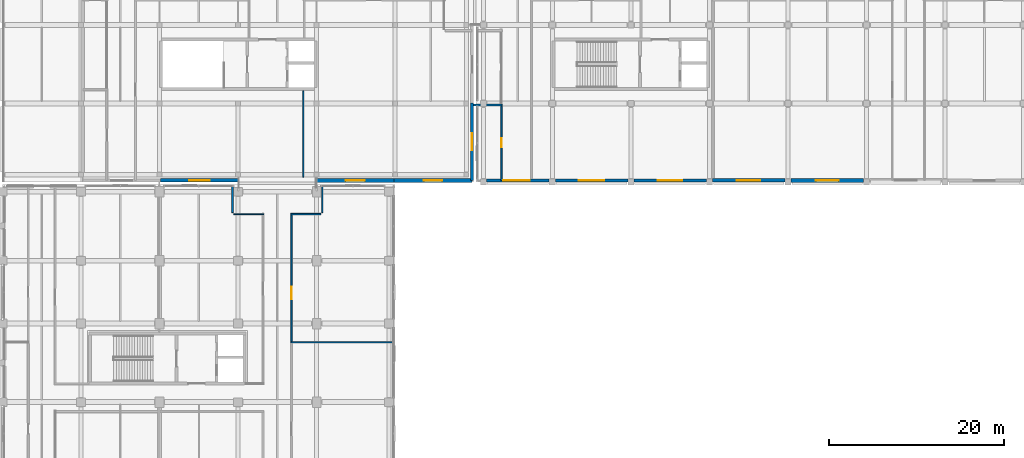
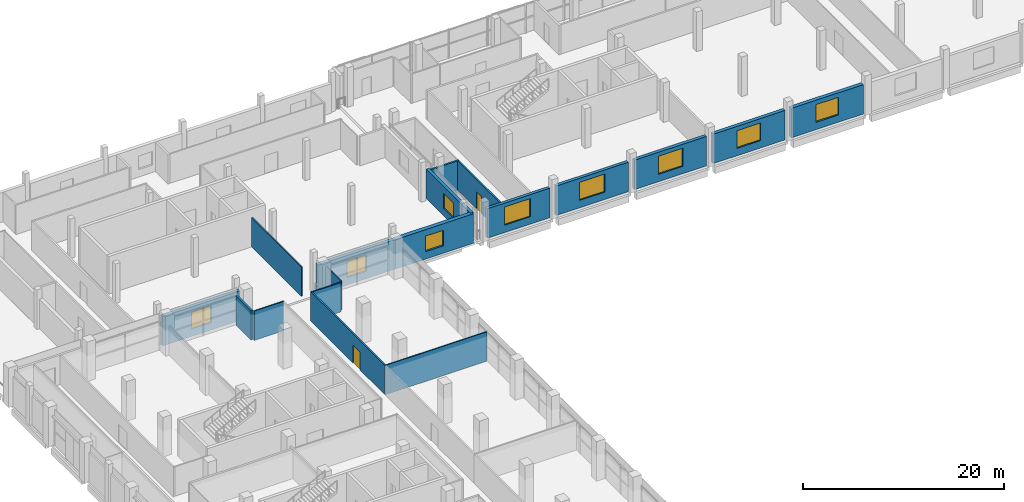
# One storey, part 72 of 111: 18 walls, 9 windows, 2 doors, 11 openings.
"""IFC4 building model written with IfcOpenShell, lengths in metres."""

from ifc_helpers import new_model, si_unit, direction, frame, frame_2d, origin, place, context, subcontext, project, spatial, rectangle, extrude, material, layer, layer_set, type_object, element, fill, save


model = new_model("IFC4")

# Units and contexts
model_context = context("Model", 3, precision=1e-05, world=origin(), true_north=direction((0.0, 1.0)))
body_context = subcontext(model_context, "Body", "Model", "MODEL_VIEW")
ifc_project = project(units=[si_unit("LENGTHUNIT", "METRE"), si_unit("AREAUNIT", "SQUARE_METRE"), si_unit("VOLUMEUNIT", "CUBIC_METRE"), si_unit("PLANEANGLEUNIT", "RADIAN"), si_unit("MASSUNIT", "GRAM", prefix="KILO"), si_unit("THERMODYNAMICTEMPERATUREUNIT", "KELVIN"), si_unit("POWERUNIT", "WATT")], contexts=[model_context])

# Site, building, storey
site_placement = place(None, origin())
site = spatial("IfcSite", under=ifc_project, at=site_placement, CompositionType="ELEMENT")
building_placement = place(site_placement, origin())
building = spatial("IfcBuilding", under=site, at=building_placement, Name="Sindhuravela Promenade Stadium", CompositionType="ELEMENT")
storey_placement = place(building_placement, frame((0.0, 0.0, 9.60009765625)))
storey = spatial("IfcBuildingStorey", under=building, at=storey_placement, Name="L02", CompositionType="ELEMENT", Elevation=9.60009765625)

# Wall, opening, window
ifc_material_1 = material(Name="Terracotta clay brick masonry (15 MPa)", Category="masonry")
ifc_layer_1 = layer(ifc_material_1, 0.340087890625)
ifc_layer_set_1 = layer_set([ifc_layer_1], Name="Terracotta clay brick masonry (15 MPa)")
wall_type_1 = type_object("IfcWallType", Name="EX-WL-BRK340", PredefinedType="SOLIDWALL", material=ifc_layer_set_1)
wall_1_placement = place(storey_placement, frame((62.64501953125, 126.199951171875, 0.0), z_axis=(0.0, 0.0, 1.0), x_axis=(-1.0, 0.0, 0.0)))
wall_1 = element("IfcWall", 1, at=wall_1_placement, inside=storey, type_object=wall_type_1, Name="Exterior masonry wall EW06 NORTH L02", PredefinedType="SOLIDWALL", context=body_context, shape_type="SweptSolid", body=[
    extrude(rectangle(XDim=7.18994140625, YDim=0.340087890625, at=frame_2d((3.594970703125, 0.0))), origin(), (0.0, 0.0, 1.0), 3.579833984375),
])
opening_1_placement = place(wall_1_placement, frame((2.2451171875, 0.0, 0.89990234375)))
opening_1 = element("IfcOpeningElement", 2, at=opening_1_placement, cuts=wall_1, Name="Opening W20", PredefinedType="OPENING", context=body_context, shape_type="SweptSolid", body=[
    extrude(rectangle(XDim=3.0, YDim=2.199951171875, at=frame_2d((1.5, 1.10009765625))), frame((0.0, 0.179931640625, 0.0), z_axis=(0.0, -1.0, 0.0), x_axis=(1.0, 0.0, 0.0)), (0.0, 0.0, 1.0), 0.360107421875),
])
ifc_material_2 = material(Name="Tempered laminated low-E glass", Category="glass")
window_type_1 = type_object("IfcWindowType", Name="WN-FAC-3000x2200", PartitioningType="DOUBLE_PANEL_VERTICAL", PredefinedType="WINDOW", material=ifc_material_2)
window_1_placement = place(opening_1_placement, origin())
window_1 = element("IfcWindow", 3, at=window_1_placement, inside=storey, type_object=window_type_1, Name="Window W20 NORTH L02", OverallHeight=2.199951171875, OverallWidth=3.0, PartitioningType="DOUBLE_PANEL_VERTICAL", PredefinedType="WINDOW", context=body_context, shape_type="SweptSolid", body=[
    extrude(rectangle(XDim=3.0, YDim=2.199951171875, at=frame_2d((1.5, 1.10009765625))), frame((0.0, 0.030029296875, 0.0), z_axis=(0.0, -1.0, 0.0), x_axis=(1.0, 0.0, 0.0)), (0.0, 0.0, 1.0), 0.06005859375),
])
fill(opening_1, window_1)

wall_2_placement = place(storey_placement, frame((53.800048828125, 135.066650390625, 0.0), z_axis=(0.0, 0.0, 1.0), x_axis=(0.0, -1.0, 0.0)))
wall_2 = element("IfcWall", 4, at=wall_2_placement, inside=storey, type_object=wall_type_1, Name="Exterior masonry wall EW06 Pavilion NW L02", PredefinedType="SOLIDWALL", context=body_context, shape_type="SweptSolid", body=[
    extrude(rectangle(XDim=8.86669921875, YDim=0.340087890625, at=frame_2d((4.433349609375, 0.0))), origin(), (0.0, 0.0, 1.0), 3.579833984375),
])
opening_2_placement = place(wall_2_placement, frame((3.433349609375, 0.0, 0.89990234375)))
opening_2 = element("IfcOpeningElement", 5, at=opening_2_placement, cuts=wall_2, Name="Opening W10", PredefinedType="OPENING", context=body_context, shape_type="SweptSolid", body=[
    extrude(rectangle(XDim=2.0, YDim=1.85009765625, at=frame_2d((1.0, 0.925048828125))), frame((0.0, 0.179931640625, 0.0), z_axis=(0.0, -1.0, 0.0), x_axis=(1.0, 0.0, 0.0)), (0.0, 0.0, 1.0), 0.360107421875),
])
window_type_2 = type_object("IfcWindowType", Name="WN-FAC-2000x1850", PartitioningType="DOUBLE_PANEL_VERTICAL", PredefinedType="WINDOW", material=ifc_material_2)
window_2_placement = place(opening_2_placement, origin())
window_2 = element("IfcWindow", 6, at=window_2_placement, inside=storey, type_object=window_type_2, Name="Window W10 Pavilion NW L02", OverallHeight=1.85009765625, OverallWidth=2.0, PartitioningType="DOUBLE_PANEL_VERTICAL", PredefinedType="WINDOW", context=body_context, shape_type="SweptSolid", body=[
    extrude(rectangle(XDim=2.0, YDim=1.85009765625, at=frame_2d((1.0, 0.925048828125))), frame((0.0, 0.030029296875, 0.0), z_axis=(0.0, -1.0, 0.0), x_axis=(1.0, 0.0, 0.0)), (0.0, 0.0, 1.0), 0.06005859375),
])
fill(opening_2, window_2)

ifc_layer_2 = layer(ifc_material_1, 0.360107421875)
ifc_layer_set_2 = layer_set([ifc_layer_2], Name="Terracotta clay brick masonry (15 MPa)")
wall_type_2 = type_object("IfcWallType", Name="EX-WL-BRK360", PredefinedType="SOLIDWALL", material=ifc_layer_set_2)
wall_3_placement = place(storey_placement, frame((71.64501953125, 126.199951171875, 0.0), z_axis=(0.0, 0.0, 1.0), x_axis=(-1.0, 0.0, 0.0)))
wall_3 = element("IfcWall", 7, at=wall_3_placement, inside=storey, type_object=wall_type_2, Name="Exterior masonry wall EW05 NORTH L02", PredefinedType="SOLIDWALL", context=body_context, shape_type="SweptSolid", body=[
    extrude(rectangle(XDim=8.2900390625, YDim=0.360107421875, at=frame_2d((4.14501953125, 0.0))), origin(), (0.0, 0.0, 1.0), 3.579833984375),
])
opening_3_placement = place(wall_3_placement, frame((2.695068359375, 0.0, 0.89990234375)))
opening_3 = element("IfcOpeningElement", 8, at=opening_3_placement, cuts=wall_3, Name="Opening W19", PredefinedType="OPENING", context=body_context, shape_type="SweptSolid", body=[
    extrude(rectangle(XDim=2.89990234375, YDim=2.199951171875, at=frame_2d((1.449951171875, 1.10009765625))), frame((0.0, 0.18994140625, 0.0), z_axis=(0.0, -1.0, 0.0), x_axis=(1.0, 0.0, 0.0)), (0.0, 0.0, 1.0), 0.380126953125),
])
window_type_3 = type_object("IfcWindowType", Name="WN-FAC-2900x2200", PartitioningType="DOUBLE_PANEL_VERTICAL", PredefinedType="WINDOW", material=ifc_material_2)
window_3_placement = place(opening_3_placement, origin())
window_3 = element("IfcWindow", 9, at=window_3_placement, inside=storey, type_object=window_type_3, Name="Window W19 NORTH L02", OverallHeight=2.199951171875, OverallWidth=2.89990234375, PartitioningType="DOUBLE_PANEL_VERTICAL", PredefinedType="WINDOW", context=body_context, shape_type="SweptSolid", body=[
    extrude(rectangle(XDim=2.89990234375, YDim=2.199951171875, at=frame_2d((1.449951171875, 1.10009765625))), frame((0.0, 0.030029296875, 0.0), z_axis=(0.0, -1.0, 0.0), x_axis=(1.0, 0.0, 0.0)), (0.0, 0.0, 1.0), 0.06005859375),
])
fill(opening_3, window_3)

ifc_layer_3 = layer(ifc_material_1, 0.3798828125)
ifc_layer_set_3 = layer_set([ifc_layer_3], Name="Terracotta clay brick masonry (15 MPa)")
wall_type_3 = type_object("IfcWallType", Name="EX-WL-BRK380", PredefinedType="SOLIDWALL", material=ifc_layer_set_3)
wall_4_placement = place(storey_placement, frame((80.64501953125, 126.199951171875, 0.0), z_axis=(0.0, 0.0, 1.0), x_axis=(-1.0, 0.0, 0.0)))
wall_4 = element("IfcWall", 10, at=wall_4_placement, inside=storey, type_object=wall_type_3, Name="Exterior masonry wall EW04 NORTH L02", PredefinedType="SOLIDWALL", context=body_context, shape_type="SweptSolid", body=[
    extrude(rectangle(XDim=8.2900390625, YDim=0.3798828125, at=frame_2d((4.14501953125, 0.0))), origin(), (0.0, 0.0, 1.0), 3.579833984375),
])
opening_4_placement = place(wall_4_placement, frame((2.7451171875, 0.0, 0.89990234375)))
opening_4 = element("IfcOpeningElement", 11, at=opening_4_placement, cuts=wall_4, Name="Opening W18", PredefinedType="OPENING", context=body_context, shape_type="SweptSolid", body=[
    extrude(rectangle(XDim=2.800048828125, YDim=2.199951171875, at=frame_2d((1.39990234375, 1.10009765625))), frame((0.0, 0.199951171875, 0.0), z_axis=(0.0, -1.0, 0.0), x_axis=(1.0, 0.0, 0.0)), (0.0, 0.0, 1.0), 0.39990234375),
])
window_type_4 = type_object("IfcWindowType", Name="WN-FAC-2800x2200", PartitioningType="DOUBLE_PANEL_VERTICAL", PredefinedType="WINDOW", material=ifc_material_2)
window_4_placement = place(opening_4_placement, origin())
window_4 = element("IfcWindow", 12, at=window_4_placement, inside=storey, type_object=window_type_4, Name="Window W18 NORTH L02", OverallHeight=2.199951171875, OverallWidth=2.800048828125, PartitioningType="DOUBLE_PANEL_VERTICAL", PredefinedType="WINDOW", context=body_context, shape_type="SweptSolid", body=[
    extrude(rectangle(XDim=2.800048828125, YDim=2.199951171875, at=frame_2d((1.39990234375, 1.10009765625))), frame((0.0, 0.030029296875, 0.0), z_axis=(0.0, -1.0, 0.0), x_axis=(1.0, 0.0, 0.0)), (0.0, 0.0, 1.0), 0.06005859375),
])
fill(opening_4, window_4)

ifc_layer_4 = layer(ifc_material_1, 0.39990234375)
ifc_layer_set_4 = layer_set([ifc_layer_4], Name="Terracotta clay brick masonry (15 MPa)")
wall_type_4 = type_object("IfcWallType", Name="EX-WL-BRK400", PredefinedType="SOLIDWALL", material=ifc_layer_set_4)
wall_5_placement = place(storey_placement, frame((89.64501953125, 126.199951171875, 0.0), z_axis=(0.0, 0.0, 1.0), x_axis=(-1.0, 0.0, 0.0)))
wall_5 = element("IfcWall", 13, at=wall_5_placement, inside=storey, type_object=wall_type_4, Name="Exterior masonry wall EW03 NORTH L02", PredefinedType="SOLIDWALL", context=body_context, shape_type="SweptSolid", body=[
    extrude(rectangle(XDim=8.2900390625, YDim=0.39990234375, at=frame_2d((4.14501953125, 0.0))), origin(), (0.0, 0.0, 1.0), 3.579833984375),
])
opening_5_placement = place(wall_5_placement, frame((2.794921875, 0.0, 0.89990234375)))
opening_5 = element("IfcOpeningElement", 14, at=opening_5_placement, cuts=wall_5, Name="Opening W17", PredefinedType="OPENING", context=body_context, shape_type="SweptSolid", body=[
    extrude(rectangle(XDim=2.699951171875, YDim=2.14990234375, at=frame_2d((1.35009765625, 1.074951171875))), frame((0.0, 0.2099609375, 0.0), z_axis=(0.0, -1.0, 0.0), x_axis=(1.0, 0.0, 0.0)), (0.0, 0.0, 1.0), 0.419921875),
])
window_type_5 = type_object("IfcWindowType", Name="WN-FAC-2700x2150", PartitioningType="DOUBLE_PANEL_VERTICAL", PredefinedType="WINDOW", material=ifc_material_2)
window_5_placement = place(opening_5_placement, origin())
window_5 = element("IfcWindow", 15, at=window_5_placement, inside=storey, type_object=window_type_5, Name="Window W17 NORTH L02", OverallHeight=2.14990234375, OverallWidth=2.699951171875, PartitioningType="DOUBLE_PANEL_VERTICAL", PredefinedType="WINDOW", context=body_context, shape_type="SweptSolid", body=[
    extrude(rectangle(XDim=2.699951171875, YDim=2.14990234375, at=frame_2d((1.35009765625, 1.074951171875))), frame((0.0, 0.030029296875, 0.0), z_axis=(0.0, -1.0, 0.0), x_axis=(1.0, 0.0, 0.0)), (0.0, 0.0, 1.0), 0.06005859375),
])
fill(opening_5, window_5)

wall_6_placement = place(storey_placement, frame((27.0400390625, 126.199951171875, 0.0), z_axis=(0.0, 0.0, 1.0), x_axis=(-1.0, 0.0, 0.0)))
wall_6 = element("IfcWall", 16, at=wall_6_placement, inside=storey, type_object=wall_type_4, Name="Exterior masonry wall EW03 Pavilion NW L02", PredefinedType="SOLIDWALL", context=body_context, shape_type="SweptSolid", body=[
    extrude(rectangle(XDim=8.919921875, YDim=0.39990234375, at=frame_2d((4.4599609375, 0.0))), origin(), (0.0, 0.0, 1.0), 3.579833984375),
])
opening_6_placement = place(wall_6_placement, frame((3.31005859375, 0.0, 0.89990234375)))
opening_6 = element("IfcOpeningElement", 17, at=opening_6_placement, cuts=wall_6, Name="Opening W13", PredefinedType="OPENING", context=body_context, shape_type="SweptSolid", body=[
    extrude(rectangle(XDim=2.300048828125, YDim=2.0, at=frame_2d((1.14990234375, 1.0))), frame((0.0, 0.2099609375, 0.0), z_axis=(0.0, -1.0, 0.0), x_axis=(1.0, 0.0, 0.0)), (0.0, 0.0, 1.0), 0.419921875),
])
window_type_6 = type_object("IfcWindowType", Name="WN-FAC-2300x2000", PartitioningType="DOUBLE_PANEL_VERTICAL", PredefinedType="WINDOW", material=ifc_material_2)
window_6_placement = place(opening_6_placement, origin())
window_6 = element("IfcWindow", 18, at=window_6_placement, inside=storey, type_object=window_type_6, Name="Window W13 Pavilion NW L02", OverallHeight=2.0, OverallWidth=2.300048828125, PartitioningType="DOUBLE_PANEL_VERTICAL", PredefinedType="WINDOW", context=body_context, shape_type="SweptSolid", body=[
    extrude(rectangle(XDim=2.300048828125, YDim=2.0, at=frame_2d((1.14990234375, 1.0))), frame((0.0, 0.030029296875, 0.0), z_axis=(0.0, -1.0, 0.0), x_axis=(1.0, 0.0, 0.0)), (0.0, 0.0, 1.0), 0.06005859375),
])
fill(opening_6, window_6)

ifc_layer_5 = layer(ifc_material_1, 0.419921875)
ifc_layer_set_5 = layer_set([ifc_layer_5], Name="Terracotta clay brick masonry (15 MPa)")
wall_type_5 = type_object("IfcWallType", Name="EX-WL-BRK420", PredefinedType="SOLIDWALL", material=ifc_layer_set_5)
wall_7_placement = place(storey_placement, frame((98.64501953125, 126.199951171875, 0.0), z_axis=(0.0, 0.0, 1.0), x_axis=(-1.0, 0.0, 0.0)))
wall_7 = element("IfcWall", 19, at=wall_7_placement, inside=storey, type_object=wall_type_5, Name="Exterior masonry wall EW02 NORTH L02", PredefinedType="SOLIDWALL", context=body_context, shape_type="SweptSolid", body=[
    extrude(rectangle(XDim=8.2900390625, YDim=0.419921875, at=frame_2d((4.14501953125, 0.0))), origin(), (0.0, 0.0, 1.0), 3.579833984375),
])
opening_7_placement = place(wall_7_placement, frame((2.844970703125, 0.0, 0.89990234375)))
opening_7 = element("IfcOpeningElement", 20, at=opening_7_placement, cuts=wall_7, Name="Opening W16", PredefinedType="OPENING", context=body_context, shape_type="SweptSolid", body=[
    extrude(rectangle(XDim=2.60009765625, YDim=2.14990234375, at=frame_2d((1.300048828125, 1.074951171875))), frame((0.0, 0.219970703125, 0.0), z_axis=(0.0, -1.0, 0.0), x_axis=(1.0, 0.0, 0.0)), (0.0, 0.0, 1.0), 0.43994140625),
])
window_type_7 = type_object("IfcWindowType", Name="WN-FAC-2600x2150", PartitioningType="DOUBLE_PANEL_VERTICAL", PredefinedType="WINDOW", material=ifc_material_2)
window_7_placement = place(opening_7_placement, origin())
window_7 = element("IfcWindow", 21, at=window_7_placement, inside=storey, type_object=window_type_7, Name="Window W16 NORTH L02", OverallHeight=2.14990234375, OverallWidth=2.60009765625, PartitioningType="DOUBLE_PANEL_VERTICAL", PredefinedType="WINDOW", context=body_context, shape_type="SweptSolid", body=[
    extrude(rectangle(XDim=2.60009765625, YDim=2.14990234375, at=frame_2d((1.300048828125, 1.074951171875))), frame((0.0, 0.030029296875, 0.0), z_axis=(0.0, -1.0, 0.0), x_axis=(1.0, 0.0, 0.0)), (0.0, 0.0, 1.0), 0.06005859375),
])
fill(opening_7, window_7)

wall_8_placement = place(storey_placement, frame((44.8798828125, 126.199951171875, 0.0), z_axis=(0.0, 0.0, 1.0), x_axis=(-1.0, 0.0, 0.0)))
wall_8 = element("IfcWall", 22, at=wall_8_placement, inside=storey, type_object=wall_type_5, Name="Exterior masonry wall EW02 Pavilion NW L02", PredefinedType="SOLIDWALL", context=body_context, shape_type="SweptSolid", body=[
    extrude(rectangle(XDim=8.919921875, YDim=0.419921875, at=frame_2d((4.4599609375, 0.0))), origin(), (0.0, 0.0, 1.0), 3.579833984375),
])
opening_8_placement = place(wall_8_placement, frame((3.360107421875, 0.0, 0.89990234375)))
opening_8 = element("IfcOpeningElement", 23, at=opening_8_placement, cuts=wall_8, Name="Opening W12", PredefinedType="OPENING", context=body_context, shape_type="SweptSolid", body=[
    extrude(rectangle(XDim=2.199951171875, YDim=1.949951171875, at=frame_2d((1.10009765625, 0.97509765625))), frame((0.0, 0.219970703125, 0.0), z_axis=(0.0, -1.0, 0.0), x_axis=(1.0, 0.0, 0.0)), (0.0, 0.0, 1.0), 0.43994140625),
])
window_type_8 = type_object("IfcWindowType", Name="WN-FAC-2200x1950", PartitioningType="DOUBLE_PANEL_VERTICAL", PredefinedType="WINDOW", material=ifc_material_2)
window_8_placement = place(opening_8_placement, origin())
window_8 = element("IfcWindow", 24, at=window_8_placement, inside=storey, type_object=window_type_8, Name="Window W12 Pavilion NW L02", OverallHeight=1.949951171875, OverallWidth=2.199951171875, PartitioningType="DOUBLE_PANEL_VERTICAL", PredefinedType="WINDOW", context=body_context, shape_type="SweptSolid", body=[
    extrude(rectangle(XDim=2.199951171875, YDim=1.949951171875, at=frame_2d((1.10009765625, 0.97509765625))), frame((0.0, 0.030029296875, 0.0), z_axis=(0.0, -1.0, 0.0), x_axis=(1.0, 0.0, 0.0)), (0.0, 0.0, 1.0), 0.06005859375),
])
fill(opening_8, window_8)

ifc_layer_6 = layer(ifc_material_1, 0.4599609375)
ifc_layer_set_6 = layer_set([ifc_layer_6], Name="Terracotta clay brick masonry (15 MPa)")
wall_type_6 = type_object("IfcWallType", Name="EX-WL-BRK460", PredefinedType="SOLIDWALL", material=ifc_layer_set_6)
wall_9_placement = place(storey_placement, frame((53.800048828125, 126.199951171875, 0.0), z_axis=(0.0, 0.0, 1.0), x_axis=(-1.0, 0.0, 0.0)))
wall_9 = element("IfcWall", 25, at=wall_9_placement, inside=storey, type_object=wall_type_6, Name="Exterior masonry wall EW01 Pavilion NW L02", PredefinedType="SOLIDWALL", context=body_context, shape_type="SweptSolid", body=[
    extrude(rectangle(XDim=8.920166015625, YDim=0.4599609375, at=frame_2d((4.4599609375, 0.0))), origin(), (0.0, 0.0, 1.0), 3.579833984375),
])
opening_9_placement = place(wall_9_placement, frame((3.409912109375, 0.0, 0.89990234375)))
opening_9 = element("IfcOpeningElement", 26, at=opening_9_placement, cuts=wall_9, Name="Opening W11", PredefinedType="OPENING", context=body_context, shape_type="SweptSolid", body=[
    extrude(rectangle(XDim=2.10009765625, YDim=1.89990234375, at=frame_2d((1.050048828125, 0.949951171875))), frame((0.0, 0.239990234375, 0.0), z_axis=(0.0, -1.0, 0.0), x_axis=(1.0, 0.0, 0.0)), (0.0, 0.0, 1.0), 0.47998046875),
])
window_type_9 = type_object("IfcWindowType", Name="WN-FAC-2100x1900", PartitioningType="DOUBLE_PANEL_VERTICAL", PredefinedType="WINDOW", material=ifc_material_2)
window_9_placement = place(opening_9_placement, origin())
window_9 = element("IfcWindow", 27, at=window_9_placement, inside=storey, type_object=window_type_9, Name="Window W11 Pavilion NW L02", OverallHeight=1.89990234375, OverallWidth=2.10009765625, PartitioningType="DOUBLE_PANEL_VERTICAL", PredefinedType="WINDOW", context=body_context, shape_type="SweptSolid", body=[
    extrude(rectangle(XDim=2.10009765625, YDim=1.89990234375, at=frame_2d((1.050048828125, 0.949951171875))), frame((0.0, 0.030029296875, 0.0), z_axis=(0.0, -1.0, 0.0), x_axis=(1.0, 0.0, 0.0)), (0.0, 0.0, 1.0), 0.06005859375),
])
fill(opening_9, window_9)

# Walls
ifc_material_3 = material(Name="Fire-rated gypsum partition board", Category="gypsum")
ifc_layer_7 = layer(ifc_material_3, 0.1298828125)
ifc_layer_set_7 = layer_set([ifc_layer_7], Name="Fire-rated gypsum partition board")
wall_type_7 = type_object("IfcWallType", Name="IN-WL-PAR130", PredefinedType="PARTITIONING", material=ifc_layer_set_7)
wall_10_placement = place(storey_placement, frame((33.06005859375, 107.657958984375, 0.0), z_axis=(0.0, 0.0, 1.0), x_axis=(1.0, 0.0, 0.0)))
element("IfcWall", 28, at=wall_10_placement, inside=storey, type_object=wall_type_7, Name="Interior partition IW05 WEST L02", PredefinedType="PARTITIONING", context=body_context, shape_type="SweptSolid", body=[
    extrude(rectangle(XDim=11.70703125, YDim=0.1298828125, at=frame_2d((5.853515625, 0.0))), origin(), (0.0, 0.0, 1.0), 3.559814453125),
])
wall_11_placement = place(storey_placement, frame((26.52001953125, 122.340087890625, 0.0), z_axis=(0.0, 0.0, 1.0), x_axis=(1.0, 0.0, 0.0)))
element("IfcWall", 29, at=wall_11_placement, inside=storey, type_object=wall_type_7, Name="Interior partition IW05 WEST L02", PredefinedType="PARTITIONING", context=body_context, shape_type="SweptSolid", body=[
    extrude(rectangle(XDim=3.419921875, YDim=0.1298828125, at=frame_2d((1.7099609375, 0.0))), origin(), (0.0, 0.0, 1.0), 3.559814453125),
])
wall_12_placement = place(storey_placement, frame((36.639892578125, 122.5, 0.0), z_axis=(0.0, 0.0, 1.0), x_axis=(0.0, 1.0, 0.0)))
element("IfcWall", 30, at=wall_12_placement, inside=storey, type_object=wall_type_7, Name="Interior partition IW05 WEST L02", PredefinedType="PARTITIONING", context=body_context, shape_type="SweptSolid", body=[
    extrude(rectangle(XDim=3.010009765625, YDim=0.1298828125, at=frame_2d((1.5048828125, 0.0))), origin(), (0.0, 0.0, 1.0), 3.559814453125),
])
ifc_layer_8 = layer(ifc_material_3, 0.14990234375)
ifc_layer_set_8 = layer_set([ifc_layer_8], Name="Fire-rated gypsum partition board")
wall_type_8 = type_object("IfcWallType", Name="IN-WL-PAR150", PredefinedType="PARTITIONING", material=ifc_layer_set_8)
wall_13_placement = place(storey_placement, frame((33.06005859375, 122.340087890625, 0.0), z_axis=(0.0, 0.0, 1.0), x_axis=(1.0, 0.0, 0.0)))
element("IfcWall", 31, at=wall_13_placement, inside=storey, type_object=wall_type_8, Name="Interior partition IW04 WEST L02", PredefinedType="PARTITIONING", context=body_context, shape_type="SweptSolid", body=[
    extrude(rectangle(XDim=3.419921875, YDim=0.14990234375, at=frame_2d((1.7099609375, 0.0))), origin(), (0.0, 0.0, 1.0), 3.559814453125),
])
wall_14_placement = place(storey_placement, frame((34.4599609375, 126.570068359375, 0.0), z_axis=(0.0, 0.0, 1.0), x_axis=(0.0, 1.0, 0.0)))
element("IfcWall", 32, at=wall_14_placement, inside=storey, type_object=wall_type_8, Name="Interior partition IW04 Pavilion NW L02", PredefinedType="PARTITIONING", context=body_context, shape_type="SweptSolid", body=[
    extrude(rectangle(XDim=9.90283203125, YDim=0.14990234375, at=frame_2d((4.951416015625, 0.0))), origin(), (0.0, 0.0, 1.0), 3.559814453125),
])

# Wall, opening, door
ifc_layer_9 = layer(ifc_material_3, 0.175048828125)
ifc_layer_set_9 = layer_set([ifc_layer_9], Name="Fire-rated gypsum partition board")
wall_type_9 = type_object("IfcWallType", Name="IN-WL-PAR175", PredefinedType="PARTITIONING", material=ifc_layer_set_9)
wall_15_placement = place(storey_placement, frame((33.139892578125, 122.4599609375, 0.0), z_axis=(0.0, 0.0, 1.0), x_axis=(0.0, -1.0, 0.0)))
wall_15 = element("IfcWall", 33, at=wall_15_placement, inside=storey, type_object=wall_type_9, Name="Corridor partition IW03 West Club Lounge 2", PredefinedType="PARTITIONING", context=body_context, shape_type="SweptSolid", body=[
    extrude(rectangle(XDim=14.802001953125, YDim=0.175048828125, at=frame_2d((7.40087890625, 0.0))), origin(), (0.0, 0.0, 1.0), 3.559814453125),
])
opening_10_placement = place(wall_15_placement, frame((8.448486328125, 0.0, 0.0)))
opening_10 = element("IfcOpeningElement", 34, at=opening_10_placement, cuts=wall_15, Name="Opening ID03", PredefinedType="OPENING", context=body_context, shape_type="SweptSolid", body=[
    extrude(rectangle(XDim=1.39990234375, YDim=2.14990234375, at=frame_2d((0.699951171875, 1.074951171875))), frame((0.0, 0.097412109375, 0.0), z_axis=(0.0, -1.0, 0.0), x_axis=(1.0, 0.0, 0.0)), (0.0, 0.0, 1.0), 0.195068359375),
])
ifc_material_4 = material(Name="Architectural teak timber leaf", Category="wood")
door_type_1 = type_object("IfcDoorType", Name="DR-INT-1400x2150", OperationType="DOUBLE_DOOR_SINGLE_SWING", PredefinedType="DOOR", material=ifc_material_4)
door_1_placement = place(opening_10_placement, origin())
door_1 = element("IfcDoor", 35, at=door_1_placement, inside=storey, type_object=door_type_1, Name="West Club Lounge 2 door", OperationType="DOUBLE_DOOR_SINGLE_SWING", OverallHeight=2.14990234375, OverallWidth=1.39990234375, PredefinedType="DOOR", context=body_context, shape_type="SweptSolid", body=[
    extrude(rectangle(XDim=1.39990234375, YDim=2.14990234375, at=frame_2d((0.699951171875, 1.074951171875))), frame((0.0, 0.02490234375, 0.0), z_axis=(0.0, -1.0, 0.0), x_axis=(1.0, 0.0, 0.0)), (0.0, 0.0, 1.0), 0.050048828125),
])
fill(opening_10, door_1)

wall_16_placement = place(storey_placement, frame((57.159912109375, 126.199951171875, 0.0), z_axis=(0.0, 0.0, 1.0), x_axis=(0.0, 1.0, 0.0)))
wall_16 = element("IfcWall", 36, at=wall_16_placement, inside=storey, type_object=wall_type_9, Name="Corridor partition IW03 Supporters Viewing Lounge North 9", PredefinedType="PARTITIONING", context=body_context, shape_type="SweptSolid", body=[
    extrude(rectangle(XDim=8.64013671875, YDim=0.175048828125, at=frame_2d((4.320068359375, 0.0))), origin(), (0.0, 0.0, 1.0), 3.559814453125),
])
opening_11_placement = place(wall_16_placement, frame((3.820068359375, 0.0, 0.0)))
opening_11 = element("IfcOpeningElement", 37, at=opening_11_placement, cuts=wall_16, Name="Opening ID08", PredefinedType="OPENING", context=body_context, shape_type="SweptSolid", body=[
    extrude(rectangle(XDim=1.0, YDim=2.10009765625, at=frame_2d((0.5, 1.050048828125))), frame((0.0, 0.097412109375, 0.0), z_axis=(0.0, -1.0, 0.0), x_axis=(1.0, 0.0, 0.0)), (0.0, 0.0, 1.0), 0.195068359375),
])
door_type_2 = type_object("IfcDoorType", Name="DR-INT-1000x2100", OperationType="NOTDEFINED", PredefinedType="DOOR", material=ifc_material_4)
door_2_placement = place(opening_11_placement, origin())
door_2 = element("IfcDoor", 38, at=door_2_placement, inside=storey, type_object=door_type_2, Name="Supporters Viewing Lounge North 9 door", OperationType="SINGLE_SWING_LEFT", OverallHeight=2.10009765625, OverallWidth=1.0, PredefinedType="DOOR", context=body_context, shape_type="SweptSolid", body=[
    extrude(rectangle(XDim=1.0, YDim=2.10009765625, at=frame_2d((0.5, 1.050048828125))), frame((0.0, 0.02490234375, 0.0), z_axis=(0.0, -1.0, 0.0), x_axis=(1.0, 0.0, 0.0)), (0.0, 0.0, 1.0), 0.050048828125),
])
fill(opening_11, door_2)

# Walls
ifc_layer_10 = layer(ifc_material_3, 0.195068359375)
ifc_layer_set_10 = layer_set([ifc_layer_10], Name="Fire-rated gypsum partition board")
wall_type_10 = type_object("IfcWallType", Name="IN-WL-PAR195", PredefinedType="PARTITIONING", material=ifc_layer_set_10)
wall_17_placement = place(storey_placement, frame((57.239990234375, 134.840087890625, 0.0), z_axis=(0.0, 0.0, 1.0), x_axis=(-1.0, 0.0, 0.0)))
element("IfcWall", 39, at=wall_17_placement, inside=storey, type_object=wall_type_10, Name="Interior partition IW02 NORTH L02", PredefinedType="PARTITIONING", context=body_context, shape_type="SweptSolid", body=[
    extrude(rectangle(XDim=3.26708984375, YDim=0.195068359375, at=frame_2d((1.633544921875, 0.0))), origin(), (0.0, 0.0, 1.0), 3.559814453125),
])
ifc_layer_11 = layer(ifc_material_3, 0.219970703125)
ifc_layer_set_11 = layer_set([ifc_layer_11], Name="Fire-rated gypsum partition board")
wall_type_11 = type_object("IfcWallType", Name="IN-WL-PAR220", PredefinedType="PARTITIONING", material=ifc_layer_set_11)
wall_18_placement = place(storey_placement, frame((26.360107421875, 125.510009765625, 0.0), z_axis=(0.0, 0.0, 1.0), x_axis=(0.0, -1.0, 0.0)))
element("IfcWall", 40, at=wall_18_placement, inside=storey, type_object=wall_type_11, Name="Interior partition IW01 WEST L02", PredefinedType="PARTITIONING", context=body_context, shape_type="SweptSolid", body=[
    extrude(rectangle(XDim=3.010009765625, YDim=0.219970703125, at=frame_2d((1.5048828125, 0.0))), origin(), (0.0, 0.0, 1.0), 3.559814453125),
])

save(model, "model.ifc")
